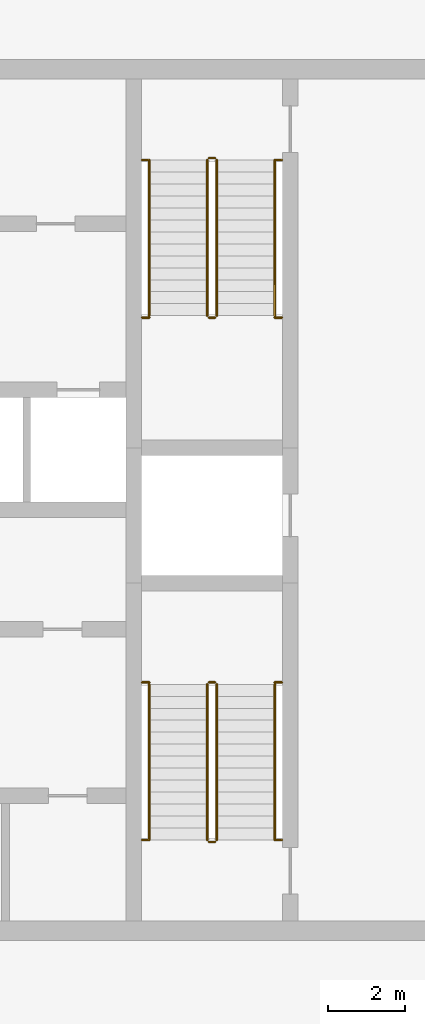
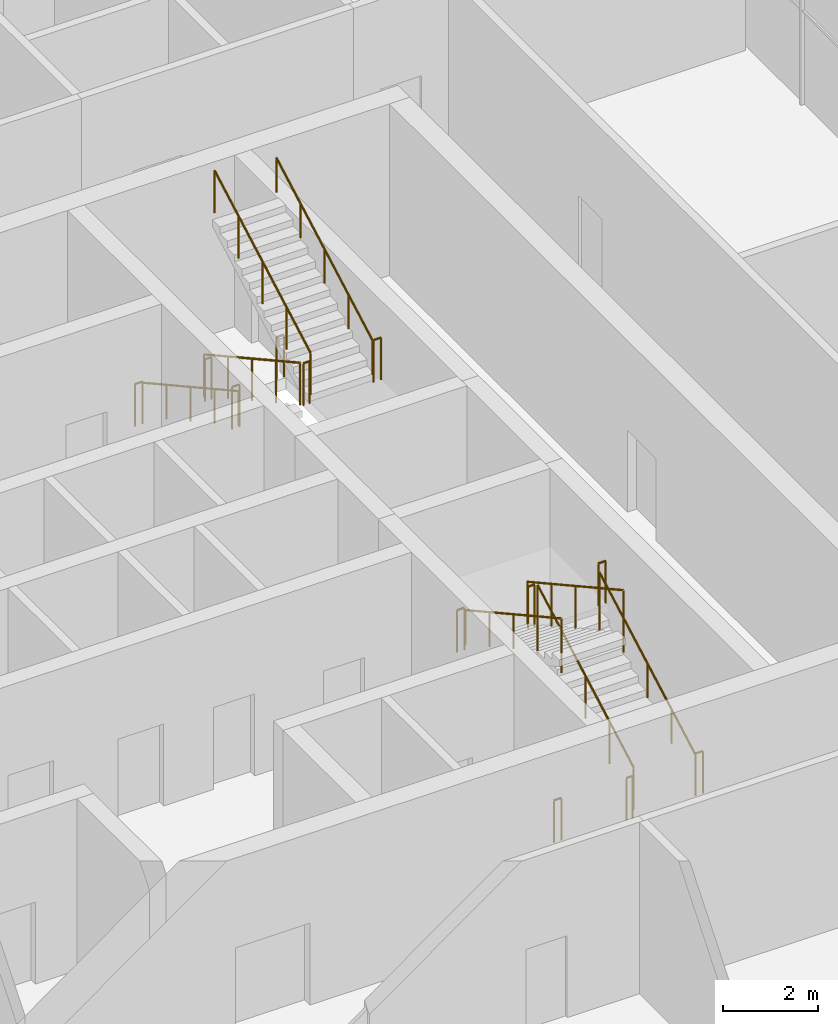
# One storey, part 15 of 15: 20 railings.
"""IFC4 building model written with IfcOpenShell, lengths in metres."""

from ifc_helpers import new_model, si_unit, direction, frame, origin, origin_2d, place, context, subcontext, project, spatial, circle, extrude, material, type_object, element, save


model = new_model("IFC4")

# Units and contexts
model_context = context("Model", 3, precision=1e-05, world=origin(), true_north=direction((0.0, 1.0)))
body_context = subcontext(model_context, "Body", "Model", "MODEL_VIEW")
ifc_project = project(units=[si_unit("LENGTHUNIT", "METRE"), si_unit("AREAUNIT", "SQUARE_METRE"), si_unit("VOLUMEUNIT", "CUBIC_METRE"), si_unit("PLANEANGLEUNIT", "RADIAN"), si_unit("MASSUNIT", "GRAM", prefix="KILO")], contexts=[model_context])

# Site, building, storey
site_placement = place(None, origin())
site = spatial("IfcSite", under=ifc_project, at=site_placement, CompositionType="ELEMENT")
building_placement = place(site_placement, origin())
building = spatial("IfcBuilding", under=site, at=building_placement, Name="Madar Terraces", CompositionType="ELEMENT")
storey_placement = place(building_placement, frame((0.0, 0.0, 291.5)))
storey = spatial("IfcBuildingStorey", under=building, at=storey_placement, Name="L76", CompositionType="ELEMENT", Elevation=291.5)

# Railings
ifc_material_1 = material(Name="Stainless steel railing", Category="steel")
railing_type_1 = type_object("IfcRailingType", Name="Stair guard 1100", PredefinedType="GUARDRAIL", material=ifc_material_1)
railing_1_placement = place(storey_placement, frame((41.199951171875, 35.199951171875, 0.17138671875)))
element("IfcRailing", 1, at=railing_1_placement, inside=storey, type_object=railing_type_1, Name="L76 ST2 stair guard 1", PredefinedType="GUARDRAIL", context=body_context, shape_type="SweptSolid", body=[
    extrude(circle(Radius=0.02392578125, at=origin_2d()), frame((0.0, 0.0, 1.076171875), z_axis=(0.0, -0.875113341371, 0.483918009331), x_axis=(1.0, 0.0, 0.0)), (0.0, 0.0, 1.0), 4.605224609375),
    extrude(circle(Radius=0.02099609375, at=origin_2d()), origin(), (0.0, 0.0, 1.0), 1.052001953125),
    extrude(circle(Radius=0.02099609375, at=origin_2d()), frame((0.0, -1.007568359375, 0.55712890625)), (0.0, 0.0, 1.0), 1.052001953125),
    extrude(circle(Radius=0.02099609375, at=origin_2d()), frame((0.0, -2.01513671875, 1.1142578125)), (0.0, 0.0, 1.0), 1.052001953125),
    extrude(circle(Radius=0.02099609375, at=origin_2d()), frame((0.0, -3.0224609375, 1.67138671875)), (0.0, 0.0, 1.0), 1.052001953125),
    extrude(circle(Radius=0.02099609375, at=origin_2d()), frame((0.0, -4.030029296875, 2.228515625)), (0.0, 0.0, 1.0), 1.052001953125),
])
railing_2_placement = place(storey_placement, frame((41.25, 31.1201171875, 2.39990234375)))
element("IfcRailing", 2, at=railing_2_placement, inside=storey, type_object=railing_type_1, Name="L76 ST2 stair guard 2", PredefinedType="GUARDRAIL", context=body_context, shape_type="SweptSolid", body=[
    extrude(circle(Radius=0.02392578125, at=origin_2d()), frame((0.0, 0.0, 1.076171875), z_axis=(1.0, 0.0, 0.0), x_axis=(0.0, 1.0, 0.0)), (0.0, 0.0, 1.0), 0.14990234375),
    extrude(circle(Radius=0.02099609375, at=origin_2d()), origin(), (0.0, 0.0, 1.0), 1.052001953125),
    extrude(circle(Radius=0.02099609375, at=origin_2d()), frame((0.14990234375, 0.0, 0.0)), (0.0, 0.0, 1.0), 1.052001953125),
])
railing_3_placement = place(storey_placement, frame((41.449951171875, 31.169921875, 2.571533203125)))
element("IfcRailing", 3, at=railing_3_placement, inside=storey, type_object=railing_type_1, Name="L76 ST2 stair guard 3", PredefinedType="GUARDRAIL", context=body_context, shape_type="SweptSolid", body=[
    extrude(circle(Radius=0.02392578125, at=origin_2d()), frame((0.0, 0.0, 1.076171875), z_axis=(0.0, 0.875113341371, 0.483918009331), x_axis=(-1.0, 0.0, 0.0)), (0.0, 0.0, 1.0), 4.605224609375),
    extrude(circle(Radius=0.02099609375, at=origin_2d()), origin(), (0.0, 0.0, 1.0), 1.052001953125),
    extrude(circle(Radius=0.02099609375, at=origin_2d()), frame((0.0, 1.007568359375, 0.55712890625)), (0.0, 0.0, 1.0), 1.052001953125),
    extrude(circle(Radius=0.02099609375, at=origin_2d()), frame((0.0, 2.01513671875, 1.1142578125)), (0.0, 0.0, 1.0), 1.052001953125),
    extrude(circle(Radius=0.02099609375, at=origin_2d()), frame((0.0, 3.0224609375, 1.67138671875)), (0.0, 0.0, 1.0), 1.052001953125),
    extrude(circle(Radius=0.02099609375, at=origin_2d()), frame((0.0, 4.030029296875, 2.228515625)), (0.0, 0.0, 1.0), 1.052001953125),
])
railing_4_placement = place(storey_placement, frame((41.25, 35.25, 0.0)))
element("IfcRailing", 4, at=railing_4_placement, inside=storey, type_object=railing_type_1, Name="L76 ST2 stair guard 4", PredefinedType="GUARDRAIL", context=body_context, shape_type="SweptSolid", body=[
    extrude(circle(Radius=0.02392578125, at=origin_2d()), frame((0.0, 0.0, 1.076171875), z_axis=(1.0, 0.0, 0.0), x_axis=(0.0, 1.0, 0.0)), (0.0, 0.0, 1.0), 0.14990234375),
    extrude(circle(Radius=0.02099609375, at=origin_2d()), origin(), (0.0, 0.0, 1.0), 1.052001953125),
    extrude(circle(Radius=0.02099609375, at=origin_2d()), frame((0.14990234375, 0.0, 0.0)), (0.0, 0.0, 1.0), 1.052001953125),
])
railing_5_placement = place(storey_placement, frame((41.449951171875, 17.60009765625, 0.17138671875)))
element("IfcRailing", 5, at=railing_5_placement, inside=storey, type_object=railing_type_1, Name="L76 ST3 stair guard 1", PredefinedType="GUARDRAIL", context=body_context, shape_type="SweptSolid", body=[
    extrude(circle(Radius=0.02392578125, at=origin_2d()), frame((0.0, 0.0, 1.076171875), z_axis=(0.0, 0.875100925707, 0.483940461035), x_axis=(-1.0, 0.0, 0.0)), (0.0, 0.0, 1.0), 4.60498046875),
    extrude(circle(Radius=0.02099609375, at=origin_2d()), origin(), (0.0, 0.0, 1.0), 1.052001953125),
    extrude(circle(Radius=0.02099609375, at=origin_2d()), frame((0.0, 1.00732421875, 0.55712890625)), (0.0, 0.0, 1.0), 1.052001953125),
    extrude(circle(Radius=0.02099609375, at=origin_2d()), frame((0.0, 2.014892578125, 1.1142578125)), (0.0, 0.0, 1.0), 1.052001953125),
    extrude(circle(Radius=0.02099609375, at=origin_2d()), frame((0.0, 3.0224609375, 1.67138671875)), (0.0, 0.0, 1.0), 1.052001953125),
    extrude(circle(Radius=0.02099609375, at=origin_2d()), frame((0.0, 4.02978515625, 2.228515625)), (0.0, 0.0, 1.0), 1.052001953125),
])
railing_6_placement = place(storey_placement, frame((41.39990234375, 21.679931640625, 2.39990234375)))
element("IfcRailing", 6, at=railing_6_placement, inside=storey, type_object=railing_type_1, Name="L76 ST3 stair guard 2", PredefinedType="GUARDRAIL", context=body_context, shape_type="SweptSolid", body=[
    extrude(circle(Radius=0.02392578125, at=origin_2d()), frame((0.0, 0.0, 1.076171875), z_axis=(-1.0, 0.0, 0.0), x_axis=(0.0, -1.0, 0.0)), (0.0, 0.0, 1.0), 0.14990234375),
    extrude(circle(Radius=0.02099609375, at=origin_2d()), origin(), (0.0, 0.0, 1.0), 1.052001953125),
    extrude(circle(Radius=0.02099609375, at=origin_2d()), frame((-0.14990234375, 0.0, 0.0)), (0.0, 0.0, 1.0), 1.052001953125),
])
railing_7_placement = place(storey_placement, frame((41.199951171875, 21.6298828125, 2.571533203125)))
element("IfcRailing", 7, at=railing_7_placement, inside=storey, type_object=railing_type_1, Name="L76 ST3 stair guard 3", PredefinedType="GUARDRAIL", context=body_context, shape_type="SweptSolid", body=[
    extrude(circle(Radius=0.02392578125, at=origin_2d()), frame((0.0, 0.0, 1.076171875), z_axis=(0.0, -0.875100925707, 0.483940461035), x_axis=(1.0, 0.0, 0.0)), (0.0, 0.0, 1.0), 4.60498046875),
    extrude(circle(Radius=0.02099609375, at=origin_2d()), origin(), (0.0, 0.0, 1.0), 1.052001953125),
    extrude(circle(Radius=0.02099609375, at=origin_2d()), frame((0.0, -1.00732421875, 0.55712890625)), (0.0, 0.0, 1.0), 1.052001953125),
    extrude(circle(Radius=0.02099609375, at=origin_2d()), frame((0.0, -2.014892578125, 1.1142578125)), (0.0, 0.0, 1.0), 1.052001953125),
    extrude(circle(Radius=0.02099609375, at=origin_2d()), frame((0.0, -3.0224609375, 1.67138671875)), (0.0, 0.0, 1.0), 1.052001953125),
    extrude(circle(Radius=0.02099609375, at=origin_2d()), frame((0.0, -4.02978515625, 2.228515625)), (0.0, 0.0, 1.0), 1.052001953125),
])
railing_8_placement = place(storey_placement, frame((41.39990234375, 17.550048828125, 0.0)))
element("IfcRailing", 8, at=railing_8_placement, inside=storey, type_object=railing_type_1, Name="L76 ST3 stair guard 4", PredefinedType="GUARDRAIL", context=body_context, shape_type="SweptSolid", body=[
    extrude(circle(Radius=0.02392578125, at=origin_2d()), frame((0.0, 0.0, 1.076171875), z_axis=(-1.0, 0.0, 0.0), x_axis=(0.0, -1.0, 0.0)), (0.0, 0.0, 1.0), 0.14990234375),
    extrude(circle(Radius=0.02099609375, at=origin_2d()), origin(), (0.0, 0.0, 1.0), 1.052001953125),
    extrude(circle(Radius=0.02099609375, at=origin_2d()), frame((-0.14990234375, 0.0, 0.0)), (0.0, 0.0, 1.0), 1.052001953125),
])
for number, where, name in (
    (9, (39.52001953125, 31.1201171875, 2.39990234375), "L76 stair guard seat 1"),
    (10, (42.949951171875, 31.1201171875, 2.39990234375), "L76 stair guard seat 2"),
    (11, (39.52001953125, 21.679931640625, 2.39990234375), "L76 stair guard seat 1"),
    (12, (42.949951171875, 21.679931640625, 2.39990234375), "L76 stair guard seat 2"),
    (13, (39.52001953125, 35.199951171875, 0.0), "L76 stair guard floor 1"),
    (14, (42.949951171875, 35.199951171875, 0.0), "L76 stair guard floor 2"),
    (15, (39.52001953125, 17.60009765625, 0.0), "L76 stair guard floor 1"),
    (16, (42.949951171875, 17.60009765625, 0.0), "L76 stair guard floor 2"),
):
    element("IfcRailing", number, at=place(storey_placement, frame(where)), inside=storey, type_object=railing_type_1, Name=name, PredefinedType="GUARDRAIL", context=body_context, shape_type="SweptSolid", body=[
        extrude(circle(Radius=0.02392578125, at=origin_2d()), frame((0.0, 0.0, 1.076171875), z_axis=(1.0, 0.0, 0.0), x_axis=(0.0, 1.0, 0.0)), (0.0, 0.0, 1.0), 0.179931640625),
        extrude(circle(Radius=0.02099609375, at=origin_2d()), origin(), (0.0, 0.0, 1.0), 1.052001953125),
        extrude(circle(Radius=0.02099609375, at=origin_2d()), frame((0.179931640625, 0.0, 0.0)), (0.0, 0.0, 1.0), 1.052001953125),
    ])
ifc_material_2 = material(Name="Stainless steel railing", Category="steel")
railing_type_2 = type_object("IfcRailingType", Name="Stair handrail 900", PredefinedType="HANDRAIL", material=ifc_material_2)
railing_9_placement = place(storey_placement, frame((39.699951171875, 35.199951171875, 0.17138671875)))
element("IfcRailing", 17, at=railing_9_placement, inside=storey, type_object=railing_type_2, Name="L76 ST2 stair handrail 1", PredefinedType="HANDRAIL", context=body_context, shape_type="SweptSolid", body=[
    extrude(circle(Radius=0.02392578125, at=origin_2d()), frame((0.0, 0.0, 0.8759765625), z_axis=(0.0, -0.875113341371, 0.483918009331), x_axis=(1.0, 0.0, 0.0)), (0.0, 0.0, 1.0), 4.605224609375),
    extrude(circle(Radius=0.02099609375, at=origin_2d()), origin(), (0.0, 0.0, 1.0), 0.851806640625),
    extrude(circle(Radius=0.02099609375, at=origin_2d()), frame((0.0, -1.007568359375, 0.55712890625)), (0.0, 0.0, 1.0), 0.851806640625),
    extrude(circle(Radius=0.02099609375, at=origin_2d()), frame((0.0, -2.01513671875, 1.1142578125)), (0.0, 0.0, 1.0), 0.851806640625),
    extrude(circle(Radius=0.02099609375, at=origin_2d()), frame((0.0, -3.0224609375, 1.67138671875)), (0.0, 0.0, 1.0), 0.851806640625),
    extrude(circle(Radius=0.02099609375, at=origin_2d()), frame((0.0, -4.030029296875, 2.228515625)), (0.0, 0.0, 1.0), 0.851806640625),
])
railing_10_placement = place(storey_placement, frame((42.949951171875, 31.169921875, 2.571533203125)))
element("IfcRailing", 18, at=railing_10_placement, inside=storey, type_object=railing_type_2, Name="L76 ST2 stair handrail 2", PredefinedType="HANDRAIL", context=body_context, shape_type="SweptSolid", body=[
    extrude(circle(Radius=0.02392578125, at=origin_2d()), frame((0.0, 0.0, 0.8759765625), z_axis=(0.0, 0.875113341371, 0.483918009331), x_axis=(-1.0, 0.0, 0.0)), (0.0, 0.0, 1.0), 4.605224609375),
    extrude(circle(Radius=0.02099609375, at=origin_2d()), origin(), (0.0, 0.0, 1.0), 0.851806640625),
    extrude(circle(Radius=0.02099609375, at=origin_2d()), frame((0.0, 1.007568359375, 0.55712890625)), (0.0, 0.0, 1.0), 0.851806640625),
    extrude(circle(Radius=0.02099609375, at=origin_2d()), frame((0.0, 2.01513671875, 1.1142578125)), (0.0, 0.0, 1.0), 0.851806640625),
    extrude(circle(Radius=0.02099609375, at=origin_2d()), frame((0.0, 3.0224609375, 1.67138671875)), (0.0, 0.0, 1.0), 0.851806640625),
    extrude(circle(Radius=0.02099609375, at=origin_2d()), frame((0.0, 4.030029296875, 2.228515625)), (0.0, 0.0, 1.0), 0.851806640625),
])
railing_11_placement = place(storey_placement, frame((42.949951171875, 17.60009765625, 0.17138671875)))
element("IfcRailing", 19, at=railing_11_placement, inside=storey, type_object=railing_type_2, Name="L76 ST3 stair handrail 1", PredefinedType="HANDRAIL", context=body_context, shape_type="SweptSolid", body=[
    extrude(circle(Radius=0.02392578125, at=origin_2d()), frame((0.0, 0.0, 0.8759765625), z_axis=(0.0, 0.875100925707, 0.483940461035), x_axis=(-1.0, 0.0, 0.0)), (0.0, 0.0, 1.0), 4.60498046875),
    extrude(circle(Radius=0.02099609375, at=origin_2d()), origin(), (0.0, 0.0, 1.0), 0.851806640625),
    extrude(circle(Radius=0.02099609375, at=origin_2d()), frame((0.0, 1.00732421875, 0.55712890625)), (0.0, 0.0, 1.0), 0.851806640625),
    extrude(circle(Radius=0.02099609375, at=origin_2d()), frame((0.0, 2.014892578125, 1.1142578125)), (0.0, 0.0, 1.0), 0.851806640625),
    extrude(circle(Radius=0.02099609375, at=origin_2d()), frame((0.0, 3.0224609375, 1.67138671875)), (0.0, 0.0, 1.0), 0.851806640625),
    extrude(circle(Radius=0.02099609375, at=origin_2d()), frame((0.0, 4.02978515625, 2.228515625)), (0.0, 0.0, 1.0), 0.851806640625),
])
railing_12_placement = place(storey_placement, frame((39.699951171875, 21.6298828125, 2.571533203125)))
element("IfcRailing", 20, at=railing_12_placement, inside=storey, type_object=railing_type_2, Name="L76 ST3 stair handrail 2", PredefinedType="HANDRAIL", context=body_context, shape_type="SweptSolid", body=[
    extrude(circle(Radius=0.02392578125, at=origin_2d()), frame((0.0, 0.0, 0.8759765625), z_axis=(0.0, -0.875100925707, 0.483940461035), x_axis=(1.0, 0.0, 0.0)), (0.0, 0.0, 1.0), 4.60498046875),
    extrude(circle(Radius=0.02099609375, at=origin_2d()), origin(), (0.0, 0.0, 1.0), 0.851806640625),
    extrude(circle(Radius=0.02099609375, at=origin_2d()), frame((0.0, -1.00732421875, 0.55712890625)), (0.0, 0.0, 1.0), 0.851806640625),
    extrude(circle(Radius=0.02099609375, at=origin_2d()), frame((0.0, -2.014892578125, 1.1142578125)), (0.0, 0.0, 1.0), 0.851806640625),
    extrude(circle(Radius=0.02099609375, at=origin_2d()), frame((0.0, -3.0224609375, 1.67138671875)), (0.0, 0.0, 1.0), 0.851806640625),
    extrude(circle(Radius=0.02099609375, at=origin_2d()), frame((0.0, -4.02978515625, 2.228515625)), (0.0, 0.0, 1.0), 0.851806640625),
])

save(model, "model.ifc")
